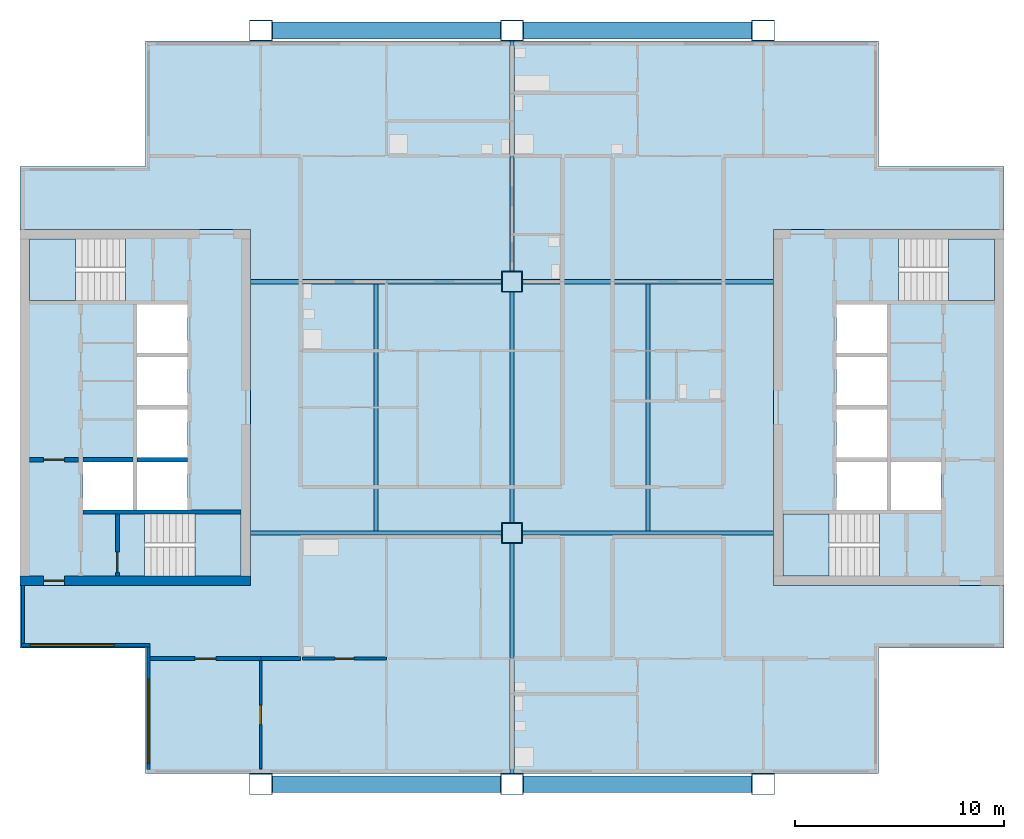
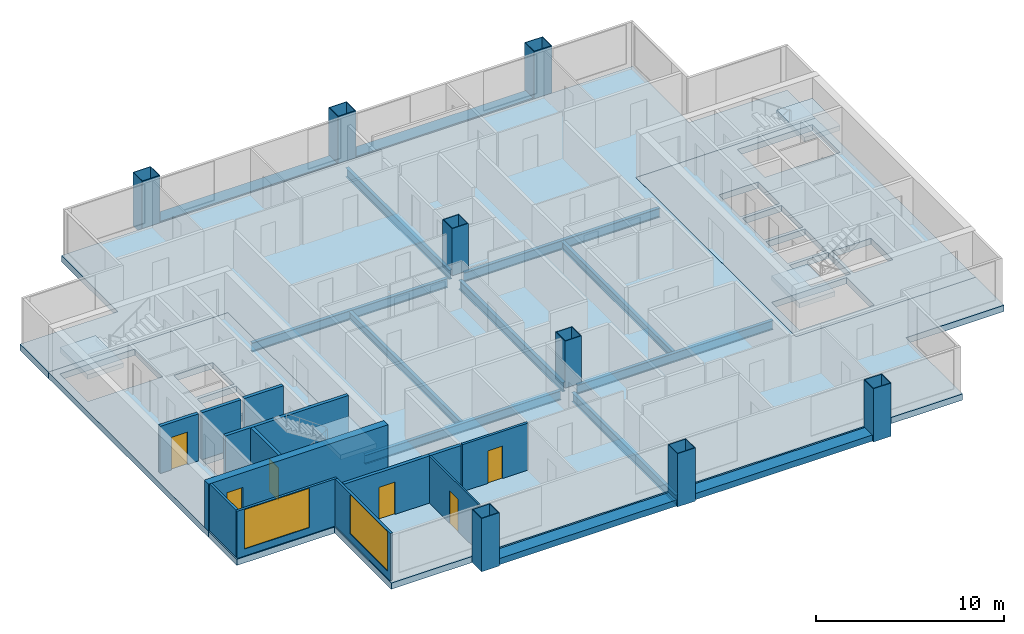
# One storey, part 1 of 9: 13 beams, 13 walls, 8 columns, 7 slabs, 6 doors, 2 windows, 8 openings, 4 elements without a shape of their own.
"""IFC4 building model written with IfcOpenShell, lengths in metres."""

from ifc_helpers import new_model, si_unit, direction, frame, frame_2d, origin, origin_2d, place, context, subcontext, project, spatial, polyline, rectangle, hollow_rectangle, i_section, outline, extrude, material, layer, layer_set, material_profile, profile_set, type_object, element, fill, aggregate, save


model = new_model("IFC4")

# Units and contexts
model_context = context("Model", 3, precision=1e-05, world=origin(), true_north=direction((0.0, 1.0)))
body_context = subcontext(model_context, "Body", "Model", "MODEL_VIEW")
ifc_project = project(units=[si_unit("LENGTHUNIT", "METRE"), si_unit("AREAUNIT", "SQUARE_METRE"), si_unit("VOLUMEUNIT", "CUBIC_METRE"), si_unit("PLANEANGLEUNIT", "RADIAN"), si_unit("MASSUNIT", "GRAM", prefix="KILO")], contexts=[model_context])

# Site, building, storey
site_placement = place(None, origin())
site = spatial("IfcSite", under=ifc_project, at=site_placement, CompositionType="ELEMENT")
building_placement = place(site_placement, origin())
building = spatial("IfcBuilding", under=site, at=building_placement, Name="Kitamizu Gate Tower and Museum", CompositionType="ELEMENT")
storey_placement = place(building_placement, frame((0.0, 0.0, 224.85009765625)))
storey = spatial("IfcBuildingStorey", under=building, at=storey_placement, Name="L60", CompositionType="ELEMENT", Elevation=224.85009765625)

# Columns
ifc_material_1 = material(Name="Steel SM490A bronze coated", Category="steel")
ifc_material_profile_1 = material_profile(ifc_material_1, hollow_rectangle(XDim=1.10009765625, YDim=1.0, WallThickness=0.0400390625, at=origin_2d()), Name="BOX 1100x1000x40")
ifc_profile_set_1 = profile_set([ifc_material_profile_1], Name="Steel SM490A bronze coated")
column_type_1 = type_object("IfcColumnType", Name="Exoskeleton column XC8 BOX 1100x1000x40", PredefinedType="COLUMN", material=ifc_profile_set_1)
for number, where, z_axis, x_axis, name in (
    (1, (24.0, 12.0, -0.400146484375), (0.0, 0.0, 1.0), (1.0, 0.0, 0.0), "Column XC8 3B L60"),
    (2, (24.0, 48.0, -0.400146484375), (0.0, 0.0, 1.0), (1.0, 0.0, 0.0), "Column XC8 3E L60"),
    (3, (36.0, 12.0, -0.400146484375), (0.0, 0.0, 1.0), (1.0, 0.0, 0.0), "Column XC8 4B L60"),
    (4, (36.0, 48.0, -0.400146484375), (0.0, 0.0, 1.0), (1.0, 0.0, 0.0), "Column XC8 4E L60"),
    (5, (48.0, 12.0, -0.400146484375), (0.0, 0.0, 1.0), (1.0, 0.0, 0.0), "Column XC8 5B L60"),
    (6, (48.0, 48.0, -0.400146484375), (0.0, 0.0, 1.0), (1.0, 0.0, 0.0), "Column XC8 5E L60"),
):
    element("IfcColumn", number, at=place(storey_placement, frame(where, z_axis=z_axis, x_axis=x_axis)), inside=storey, type_object=column_type_1, Name=name, PredefinedType="COLUMN", context=body_context, shape_type="SweptSolid", body=[
        extrude(hollow_rectangle(XDim=1.10009765625, YDim=1.0, WallThickness=0.0400390625, at=origin_2d()), origin(), (0.0, 0.0, 1.0), 3.449951171875),
    ])
ifc_material_2 = material(Name="Steel SM490A", Category="steel")
ifc_material_profile_2 = material_profile(ifc_material_2, hollow_rectangle(XDim=1.0, YDim=1.0, WallThickness=0.0400390625, at=origin_2d()), Name="BOX 1000x1000x40")
ifc_profile_set_2 = profile_set([ifc_material_profile_2], Name="Steel SM490A")
column_type_2 = type_object("IfcColumnType", Name="Interior column IC5 BOX 1000x1000x40", PredefinedType="COLUMN", material=ifc_profile_set_2)
for number, where, z_axis, x_axis, name in (
    (7, (36.0, 24.0, 0.0), (0.0, 0.0, 1.0), (1.0, 0.0, 0.0), "Column IC5 4C L60"),
    (8, (36.0, 36.0, 0.0), (0.0, 0.0, 1.0), (1.0, 0.0, 0.0), "Column IC5 4D L60"),
):
    element("IfcColumn", number, at=place(storey_placement, frame(where, z_axis=z_axis, x_axis=x_axis)), inside=storey, type_object=column_type_2, Name=name, PredefinedType="COLUMN", context=body_context, shape_type="SweptSolid", body=[
        extrude(hollow_rectangle(XDim=1.0, YDim=1.0, WallThickness=0.0400390625, at=origin_2d()), origin(), (0.0, 0.0, 1.0), 3.0498046875),
    ])

# Beams
ifc_material_3 = material(Name="Steel SM490A bronze coated", Category="steel")
ifc_material_profile_3 = material_profile(ifc_material_3, hollow_rectangle(XDim=0.800048828125, YDim=0.39990234375, WallThickness=0.0400390625, at=origin_2d()), Name="BOX 800x400x40")
ifc_profile_set_3 = profile_set([ifc_material_profile_3], Name="Steel SM490A bronze coated")
beam_type_1 = type_object("IfcBeamType", Name="Exoskeleton spandrel beam SB1 BOX 800x400x40", PredefinedType="SPANDREL", material=ifc_profile_set_3)
for number, where, z_axis, x_axis, name in (
    (9, (24.550048828125, 12.0, -0.2001953125), (1.0, 0.0, 0.0), (0.0, 1.0, 0.0), "Exoskeleton spandrel beam south 24 L60"),
    (10, (36.550048828125, 12.0, -0.2001953125), (1.0, 0.0, 0.0), (0.0, 1.0, 0.0), "Exoskeleton spandrel beam south 36 L60"),
    (11, (24.550048828125, 48.0, -0.2001953125), (1.0, 0.0, 0.0), (0.0, 1.0, 0.0), "Exoskeleton spandrel beam north 24 L60"),
    (12, (36.550048828125, 48.0, -0.2001953125), (1.0, 0.0, 0.0), (0.0, 1.0, 0.0), "Exoskeleton spandrel beam north 36 L60"),
):
    element("IfcBeam", number, at=place(storey_placement, frame(where, z_axis=z_axis, x_axis=x_axis)), inside=storey, type_object=beam_type_1, Name=name, PredefinedType="SPANDREL", context=body_context, shape_type="SweptSolid", body=[
        extrude(hollow_rectangle(XDim=0.800048828125, YDim=0.39990234375, WallThickness=0.0400390625, at=origin_2d()), origin(), (0.0, 0.0, 1.0), 10.89990234375),
    ])
ifc_material_4 = material(Name="Steel SM490A", Category="steel")
ifc_material_profile_4 = material_profile(ifc_material_4, i_section(OverallWidth=0.199951171875, OverallDepth=0.5, WebThickness=0.010009765625, FlangeThickness=0.01611328125, FilletRadius=0.02001953125, at=origin_2d()), Name="H-500x200x10x16")
ifc_profile_set_4 = profile_set([ifc_material_profile_4], Name="Steel SM490A")
beam_type_2 = type_object("IfcBeamType", Name="Floor beam FB1 H 500x200x10x16", PredefinedType="BEAM", material=ifc_profile_set_4)
for number, where, z_axis, x_axis, name in (
    (13, (29.5, 24.10009765625, -0.650146484375), (0.0, 1.0, 0.0), (-1.0, 0.0, 0.0), "Floor beam FB1 L60-1"),
    (14, (42.5, 24.10009765625, -0.650146484375), (0.0, 1.0, 0.0), (-1.0, 0.0, 0.0), "Floor beam FB1 L60-2"),
):
    element("IfcBeam", number, at=place(storey_placement, frame(where, z_axis=z_axis, x_axis=x_axis)), inside=storey, type_object=beam_type_2, Name=name, PredefinedType="BEAM", context=body_context, shape_type="SweptSolid", body=[
        extrude(i_section(OverallWidth=0.199951171875, OverallDepth=0.5, WebThickness=0.010009765625, FlangeThickness=0.01611328125, FilletRadius=0.02001953125, at=origin_2d()), origin(), (0.0, 0.0, 1.0), 11.7998046875),
    ])
ifc_material_5 = material(Name="Steel SM490A", Category="steel")
ifc_material_profile_5 = material_profile(ifc_material_5, i_section(OverallWidth=0.199951171875, OverallDepth=0.60009765625, WebThickness=0.010986328125, FlangeThickness=0.01708984375, FilletRadius=0.02197265625, at=origin_2d()), Name="H-600x200x11x17")
ifc_profile_set_5 = profile_set([ifc_material_profile_5], Name="Steel SM490A")
beam_type_3 = type_object("IfcBeamType", Name="Floor girder FG1 H 600x200x11x17", PredefinedType="BEAM", material=ifc_profile_set_5)
for number, where, z_axis, x_axis, name in (
    (15, (36.0, 12.5, -0.7001953125), (0.0, 1.0, 0.0), (-1.0, 0.0, 0.0), "Floor girder FG1 x36 L60"),
    (16, (36.0, 24.5, -0.7001953125), (0.0, 1.0, 0.0), (-1.0, 0.0, 0.0), "Floor girder FG1 x36 L60"),
    (17, (36.0, 36.5, -0.7001953125), (0.0, 1.0, 0.0), (-1.0, 0.0, 0.0), "Floor girder FG1 x36 L60"),
):
    element("IfcBeam", number, at=place(storey_placement, frame(where, z_axis=z_axis, x_axis=x_axis)), inside=storey, type_object=beam_type_3, Name=name, PredefinedType="BEAM", context=body_context, shape_type="SweptSolid", body=[
        extrude(i_section(OverallWidth=0.199951171875, OverallDepth=0.60009765625, WebThickness=0.010986328125, FlangeThickness=0.01708984375, FilletRadius=0.02197265625, at=origin_2d()), origin(), (0.0, 0.0, 1.0), 11.0),
    ])
for number, where, z_axis, x_axis, name in (
    (18, (23.5, 24.0, -0.7001953125), (1.0, 0.0, 0.0), (0.0, 1.0, 0.0), "Floor girder FG1 y24 L60"),
    (19, (36.5, 24.0, -0.7001953125), (1.0, 0.0, 0.0), (0.0, 1.0, 0.0), "Floor girder FG1 y24 L60"),
    (20, (23.5, 36.0, -0.7001953125), (1.0, 0.0, 0.0), (0.0, 1.0, 0.0), "Floor girder FG1 y36 L60"),
    (21, (36.5, 36.0, -0.7001953125), (1.0, 0.0, 0.0), (0.0, 1.0, 0.0), "Floor girder FG1 y36 L60"),
):
    element("IfcBeam", number, at=place(storey_placement, frame(where, z_axis=z_axis, x_axis=x_axis)), inside=storey, type_object=beam_type_3, Name=name, PredefinedType="BEAM", context=body_context, shape_type="SweptSolid", body=[
        extrude(i_section(OverallWidth=0.199951171875, OverallDepth=0.60009765625, WebThickness=0.010986328125, FlangeThickness=0.01708984375, FilletRadius=0.02197265625, at=origin_2d()), origin(), (0.0, 0.0, 1.0), 12.0),
    ])

# Slabs
ifc_material_6 = material(Name="Concrete Fc36", Category="concrete")
ifc_layer_1 = layer(ifc_material_6, 0.39990234375)
ifc_layer_set_1 = layer_set([ifc_layer_1], Name="Concrete Fc36")
slab_type_1 = type_object("IfcSlabType", Name="Core floor slab 400", PredefinedType="FLOOR", material=ifc_layer_set_1)
slab_1_placement = place(storey_placement, frame((0.0, 0.0, -0.400146484375)))
element("IfcSlab", 22, at=slab_1_placement, inside=storey, type_object=slab_type_1, Name="Core floor slab W", PredefinedType="FLOOR", context=body_context, shape_type="SweptSolid", body=[
    extrude(outline(polyline([(12.5, 21.5), (23.5, 21.5), (23.5, 38.5), (12.5, 38.5), (12.5, 21.5)]), holes=[polyline([(15.5, 25.10009765625), (17.89990234375, 25.10009765625), (17.89990234375, 27.39990234375), (15.5, 27.39990234375), (15.5, 25.10009765625)]), polyline([(18.10009765625, 25.10009765625), (20.5, 25.10009765625), (20.5, 27.39990234375), (18.10009765625, 27.39990234375), (18.10009765625, 25.10009765625)]), polyline([(18.10009765625, 27.60009765625), (20.5, 27.60009765625), (20.5, 29.89990234375), (18.10009765625, 29.89990234375), (18.10009765625, 27.60009765625)]), polyline([(18.10009765625, 30.10009765625), (20.5, 30.10009765625), (20.5, 32.39990234375), (18.10009765625, 32.39990234375), (18.10009765625, 30.10009765625)]), polyline([(18.10009765625, 32.60009765625), (20.5, 32.60009765625), (20.5, 34.89990234375), (18.10009765625, 34.89990234375), (18.10009765625, 32.60009765625)]), polyline([(18.45068359375, 21.949951171875), (23.050048828125, 21.949951171875), (23.050048828125, 24.89990234375), (18.45068359375, 24.89990234375), (18.45068359375, 21.949951171875)]), polyline([(12.949951171875, 35.10009765625), (17.54931640625, 35.10009765625), (17.54931640625, 38.050048828125), (12.949951171875, 38.050048828125), (12.949951171875, 35.10009765625)])]), origin(), (0.0, 0.0, 1.0), 0.400146484375),
])
slab_2_placement = place(storey_placement, frame((0.0, 0.0, -0.400146484375)))
element("IfcSlab", 23, at=slab_2_placement, inside=storey, type_object=slab_type_1, Name="Core floor slab E", PredefinedType="FLOOR", context=body_context, shape_type="SweptSolid", body=[
    extrude(outline(polyline([(48.5, 21.5), (59.5, 21.5), (59.5, 38.5), (48.5, 38.5), (48.5, 21.5)]), holes=[polyline([(54.10009765625, 25.10009765625), (56.5, 25.10009765625), (56.5, 27.39990234375), (54.10009765625, 27.39990234375), (54.10009765625, 25.10009765625)]), polyline([(51.5, 25.10009765625), (53.89990234375, 25.10009765625), (53.89990234375, 27.39990234375), (51.5, 27.39990234375), (51.5, 25.10009765625)]), polyline([(51.5, 27.60009765625), (53.89990234375, 27.60009765625), (53.89990234375, 29.89990234375), (51.5, 29.89990234375), (51.5, 27.60009765625)]), polyline([(51.5, 30.10009765625), (53.89990234375, 30.10009765625), (53.89990234375, 32.39990234375), (51.5, 32.39990234375), (51.5, 30.10009765625)]), polyline([(51.5, 32.60009765625), (53.89990234375, 32.60009765625), (53.89990234375, 34.89990234375), (51.5, 34.89990234375), (51.5, 32.60009765625)]), polyline([(48.949951171875, 21.949951171875), (53.54931640625, 21.949951171875), (53.54931640625, 24.89990234375), (48.949951171875, 24.89990234375), (48.949951171875, 21.949951171875)]), polyline([(54.45068359375, 35.10009765625), (59.050048828125, 35.10009765625), (59.050048828125, 38.050048828125), (54.45068359375, 38.050048828125), (54.45068359375, 35.10009765625)])]), origin(), (0.0, 0.0, 1.0), 0.400146484375),
])
ifc_material_7 = material(Name="Concrete Fc36", Category="concrete")
ifc_layer_2 = layer(ifc_material_7, 0.39990234375)
ifc_layer_set_2 = layer_set([ifc_layer_2], Name="Concrete Fc36")
slab_type_2 = type_object("IfcSlabType", Name="Post tensioned flat slab 400", PredefinedType="FLOOR", material=ifc_layer_set_2)
slab_3_placement = place(storey_placement, frame((0.0, 0.0, -0.400146484375)))
element("IfcSlab", 24, at=slab_3_placement, inside=storey, type_object=slab_type_2, Name="Floor slab L60-1", PredefinedType="FLOOR", context=body_context, shape_type="SweptSolid", body=[
    extrude(outline(polyline([(12.5, 18.5), (12.5, 21.5), (23.5, 21.5), (23.5, 38.5), (12.5, 38.5), (12.5, 41.5), (18.5, 41.5), (18.5, 47.5), (53.5, 47.5), (53.5, 41.5), (59.5, 41.5), (59.5, 38.5), (48.5, 38.5), (48.5, 21.5), (59.5, 21.5), (59.5, 18.5), (53.5, 18.5), (53.5, 12.5), (18.5, 12.5), (18.5, 18.5), (12.5, 18.5)])), origin(), (0.0, 0.0, 1.0), 0.400146484375),
])

# Stair, slab
ifc_material_8 = material(Name="Concrete Fc42", Category="concrete")
stair_type = type_object("IfcStairType", Name="Exit stair 1375 wide 192 rise 300 going", PredefinedType="HALF_TURN_STAIR", material=ifc_material_8)
stair_1_placement = place(storey_placement, origin())
stair_1 = element("IfcStair", 25, at=stair_1_placement, inside=storey, type_object=stair_type, Name="Exit stair ST1", PredefinedType="HALF_TURN_STAIR")
ifc_material_9 = material(Name="Concrete Fc42", Category="concrete")
ifc_layer_3 = layer(ifc_material_9, 0.300048828125)
ifc_layer_set_3 = layer_set([ifc_layer_3], Name="Concrete Fc42")
slab_type_3 = type_object("IfcSlabType", Name="Stair landing 300", PredefinedType="LANDING", material=ifc_layer_set_3)
slab_4_placement = place(storey_placement, frame((0.0, 0.0, 1.4248046875)))
slab_4 = element("IfcSlab", 26, at=slab_4_placement, type_object=slab_type_3, Name="ST1 landing 1", PredefinedType="LANDING", context=body_context, shape_type="SweptSolid", body=[
    extrude(outline(polyline([(20.85009765625, 21.949951171875), (23.050048828125, 21.949951171875), (23.050048828125, 24.89990234375), (20.85009765625, 24.89990234375), (20.85009765625, 21.949951171875)])), origin(), (0.0, 0.0, 1.0), 0.300048828125),
])
aggregate(stair_1, [slab_4])

stair_2_placement = place(storey_placement, origin())
stair_2 = element("IfcStair", 27, at=stair_2_placement, inside=storey, type_object=stair_type, Name="Exit stair ST2", PredefinedType="HALF_TURN_STAIR")
slab_5_placement = place(storey_placement, frame((0.0, 0.0, 1.4248046875)))
slab_5 = element("IfcSlab", 28, at=slab_5_placement, type_object=slab_type_3, Name="ST2 landing 1", PredefinedType="LANDING", context=body_context, shape_type="SweptSolid", body=[
    extrude(outline(polyline([(12.949951171875, 35.10009765625), (15.14990234375, 35.10009765625), (15.14990234375, 38.050048828125), (12.949951171875, 38.050048828125), (12.949951171875, 35.10009765625)])), origin(), (0.0, 0.0, 1.0), 0.300048828125),
])
aggregate(stair_2, [slab_5])

stair_3_placement = place(storey_placement, origin())
stair_3 = element("IfcStair", 29, at=stair_3_placement, inside=storey, type_object=stair_type, Name="Exit stair ST3", PredefinedType="HALF_TURN_STAIR")
slab_6_placement = place(storey_placement, frame((0.0, 0.0, 1.4248046875)))
slab_6 = element("IfcSlab", 30, at=slab_6_placement, type_object=slab_type_3, Name="ST3 landing 1", PredefinedType="LANDING", context=body_context, shape_type="SweptSolid", body=[
    extrude(outline(polyline([(48.949951171875, 21.949951171875), (51.14990234375, 21.949951171875), (51.14990234375, 24.89990234375), (48.949951171875, 24.89990234375), (48.949951171875, 21.949951171875)])), origin(), (0.0, 0.0, 1.0), 0.300048828125),
])
aggregate(stair_3, [slab_6])

stair_4_placement = place(storey_placement, origin())
stair_4 = element("IfcStair", 31, at=stair_4_placement, inside=storey, type_object=stair_type, Name="Exit stair ST4", PredefinedType="HALF_TURN_STAIR")
slab_7_placement = place(storey_placement, frame((0.0, 0.0, 1.4248046875)))
slab_7 = element("IfcSlab", 32, at=slab_7_placement, type_object=slab_type_3, Name="ST4 landing 1", PredefinedType="LANDING", context=body_context, shape_type="SweptSolid", body=[
    extrude(outline(polyline([(56.85009765625, 35.10009765625), (59.050048828125, 35.10009765625), (59.050048828125, 38.050048828125), (56.85009765625, 38.050048828125), (56.85009765625, 35.10009765625)])), origin(), (0.0, 0.0, 1.0), 0.300048828125),
])
aggregate(stair_4, [slab_7])

# Wall, opening, door
ifc_material_10 = material(Name="Concrete Fc42", Category="concrete")
ifc_layer_4 = layer(ifc_material_10, 0.449951171875)
ifc_layer_set_4 = layer_set([ifc_layer_4], Name="Concrete Fc42")
wall_type_1 = type_object("IfcWallType", Name="Core wall 450", PredefinedType="SHEAR", material=ifc_layer_set_4)
wall_1_placement = place(storey_placement, frame((12.5, 21.72509765625, 0.0), z_axis=(0.0, 0.0, 1.0), x_axis=(1.0, 0.0, 0.0)))
wall_1 = element("IfcWall", 33, at=wall_1_placement, inside=storey, type_object=wall_type_1, Name="Core wall WS", PredefinedType="SHEAR", context=body_context, shape_type="SweptSolid", body=[
    extrude(rectangle(XDim=11.0, YDim=0.449951171875, at=frame_2d((5.5, 0.0))), origin(), (0.0, 0.0, 1.0), 3.0498046875),
])
opening_1_placement = place(wall_1_placement, frame((1.125, 0.0, 0.0)))
opening_1 = element("IfcOpeningElement", 34, at=opening_1_placement, cuts=wall_1, Name="Opening L60-039", PredefinedType="OPENING", context=body_context, shape_type="SweptSolid", body=[
    extrude(rectangle(XDim=1.0, YDim=2.10009765625, at=frame_2d((0.5, 1.050048828125))), frame((0.0, 0.23486328125, 0.0), z_axis=(0.0, -1.0, 0.0), x_axis=(1.0, 0.0, 0.0)), (0.0, 0.0, 1.0), 0.469970703125),
])
ifc_material_11 = material(Name="Hollow metal door set")
door_type_1 = type_object("IfcDoorType", Name="Fire door 1000", OperationType="NOTDEFINED", PredefinedType="DOOR", material=ifc_material_11)
door_1_placement = place(opening_1_placement, origin())
door_1 = element("IfcDoor", 35, at=door_1_placement, inside=storey, type_object=door_type_1, Name="Fire-fighting lobby door L60-039", OperationType="SINGLE_SWING_LEFT", OverallHeight=2.10009765625, OverallWidth=1.0, PredefinedType="DOOR", context=body_context, shape_type="SweptSolid", body=[
    extrude(rectangle(XDim=1.0, YDim=2.10009765625, at=frame_2d((0.5, 1.050048828125))), frame((0.0, 0.02490234375, 0.0), z_axis=(0.0, -1.0, 0.0), x_axis=(1.0, 0.0, 0.0)), (0.0, 0.0, 1.0), 0.050048828125),
])
fill(opening_1, door_1)

ifc_material_12 = material(Name="Gypsum board on galvanised stud")
ifc_layer_5 = layer(ifc_material_12, 0.10009765625)
ifc_layer_set_5 = layer_set([ifc_layer_5], Name="Gypsum board on galvanised stud")
wall_type_2 = type_object("IfcWallType", Name="Partition 100 NOT RATED", PredefinedType="PARTITIONING", material=ifc_layer_set_5)
wall_2_placement = place(storey_placement, frame((24.0, 12.719970703125, 0.0), z_axis=(0.0, 0.0, 1.0), x_axis=(0.0, 1.0, 0.0)))
wall_2 = element("IfcWall", 36, at=wall_2_placement, inside=storey, type_object=wall_type_2, Name="Partition L60-001", PredefinedType="PARTITIONING", context=body_context, shape_type="SweptSolid", body=[
    extrude(rectangle(XDim=5.179931640625, YDim=0.10009765625, at=frame_2d((2.58984375, 0.0))), origin(), (0.0, 0.0, 1.0), 3.0498046875),
])
opening_2_placement = place(wall_2_placement, frame((2.139892578125, 0.0, 0.0)))
opening_2 = element("IfcOpeningElement", 37, at=opening_2_placement, cuts=wall_2, Name="Opening L60-002", PredefinedType="OPENING", context=body_context, shape_type="SweptSolid", body=[
    extrude(rectangle(XDim=0.89990234375, YDim=2.10009765625, at=frame_2d((0.449951171875, 1.050048828125))), frame((0.0, 0.06005859375, 0.0), z_axis=(0.0, -1.0, 0.0), x_axis=(1.0, 0.0, 0.0)), (0.0, 0.0, 1.0), 0.1201171875),
])
ifc_material_13 = material(Name="Timber door set", Category="wood")
door_type_2 = type_object("IfcDoorType", Name="Room door 900", OperationType="NOTDEFINED", PredefinedType="DOOR", material=ifc_material_13)
door_2_placement = place(opening_2_placement, frame((0.89990234375, 0.0, 0.0), x_axis=(-1.0, 0.0, 0.0)))
door_2 = element("IfcDoor", 38, at=door_2_placement, inside=storey, type_object=door_type_2, Name="Door L60-002", OperationType="SINGLE_SWING_RIGHT", OverallHeight=2.10009765625, OverallWidth=0.89990234375, PredefinedType="DOOR", context=body_context, shape_type="SweptSolid", body=[
    extrude(rectangle(XDim=0.89990234375, YDim=2.10009765625, at=frame_2d((0.449951171875, 1.050048828125))), frame((0.0, 0.02490234375, 0.0), z_axis=(0.0, -1.0, 0.0), x_axis=(1.0, 0.0, 0.0)), (0.0, 0.0, 1.0), 0.050048828125),
])
fill(opening_2, door_2)

ifc_material_14 = material(Name="Gypsum board on galvanised stud")
ifc_layer_6 = layer(ifc_material_14, 0.14990234375)
ifc_layer_set_6 = layer_set([ifc_layer_6], Name="Gypsum board on galvanised stud")
wall_type_3 = type_object("IfcWallType", Name="Partition 150", PredefinedType="PARTITIONING", material=ifc_layer_set_6)
wall_3_placement = place(storey_placement, frame((30.0, 18.0, 0.0), z_axis=(0.0, 0.0, 1.0), x_axis=(-1.0, 0.0, 0.0)))
wall_3 = element("IfcWall", 39, at=wall_3_placement, inside=storey, type_object=wall_type_3, Name="Partition L60-004", PredefinedType="PARTITIONING", context=body_context, shape_type="SweptSolid", body=[
    extrude(rectangle(XDim=4.0, YDim=0.14990234375, at=frame_2d((2.0, 0.0))), origin(), (0.0, 0.0, 1.0), 3.0498046875),
])
opening_3_placement = place(wall_3_placement, frame((1.550048828125, 0.0, 0.0)))
opening_3 = element("IfcOpeningElement", 40, at=opening_3_placement, cuts=wall_3, Name="Opening L60-004", PredefinedType="OPENING", context=body_context, shape_type="SweptSolid", body=[
    extrude(rectangle(XDim=0.89990234375, YDim=2.10009765625, at=frame_2d((0.449951171875, 1.050048828125))), frame((0.0, 0.0849609375, 0.0), z_axis=(0.0, -1.0, 0.0), x_axis=(1.0, 0.0, 0.0)), (0.0, 0.0, 1.0), 0.169921875),
])
ifc_material_15 = material(Name="Timber door set", Category="wood")
door_type_3 = type_object("IfcDoorType", Name="Bathroom door 900", OperationType="NOTDEFINED", PredefinedType="DOOR", material=ifc_material_15)
door_3_placement = place(opening_3_placement, frame((0.89990234375, 0.0, 0.0), x_axis=(-1.0, 0.0, 0.0)))
door_3 = element("IfcDoor", 41, at=door_3_placement, inside=storey, type_object=door_type_3, Name="Bathroom door L60-004", OperationType="SINGLE_SWING_RIGHT", OverallHeight=2.10009765625, OverallWidth=0.89990234375, PredefinedType="DOOR", context=body_context, shape_type="SweptSolid", body=[
    extrude(rectangle(XDim=0.89990234375, YDim=2.10009765625, at=frame_2d((0.449951171875, 1.050048828125))), frame((0.0, 0.02490234375, 0.0), z_axis=(0.0, -1.0, 0.0), x_axis=(1.0, 0.0, 0.0)), (0.0, 0.0, 1.0), 0.050048828125),
])
fill(opening_3, door_3)

ifc_material_16 = material(Name="Gypsum board on galvanised stud")
ifc_layer_7 = layer(ifc_material_16, 0.199951171875)
ifc_layer_set_7 = layer_set([ifc_layer_7], Name="Gypsum board on galvanised stud")
wall_type_4 = type_object("IfcWallType", Name="Partition 200", PredefinedType="PARTITIONING", material=ifc_layer_set_7)
wall_4_placement = place(storey_placement, frame((24.0, 18.0, 0.0), z_axis=(0.0, 0.0, 1.0), x_axis=(-1.0, 0.0, 0.0)))
wall_4 = element("IfcWall", 42, at=wall_4_placement, inside=storey, type_object=wall_type_4, Name="Partition L60-002", PredefinedType="PARTITIONING", context=body_context, shape_type="SweptSolid", body=[
    extrude(rectangle(XDim=5.280029296875, YDim=0.199951171875, at=frame_2d((2.64013671875, 0.0))), origin(), (0.0, 0.0, 1.0), 3.0498046875),
])
opening_4_placement = place(wall_4_placement, frame((2.139892578125, 0.0, 0.0)))
opening_4 = element("IfcOpeningElement", 43, at=opening_4_placement, cuts=wall_4, Name="Opening L60-001", PredefinedType="OPENING", context=body_context, shape_type="SweptSolid", body=[
    extrude(rectangle(XDim=1.0, YDim=2.10009765625, at=frame_2d((0.5, 1.050048828125))), frame((0.0, 0.10986328125, 0.0), z_axis=(0.0, -1.0, 0.0), x_axis=(1.0, 0.0, 0.0)), (0.0, 0.0, 1.0), 0.219970703125),
])
ifc_material_17 = material(Name="Timber door set", Category="wood")
door_type_4 = type_object("IfcDoorType", Name="Flat entrance door 1000", OperationType="NOTDEFINED", PredefinedType="DOOR", material=ifc_material_17)
door_4_placement = place(opening_4_placement, origin())
door_4 = element("IfcDoor", 44, at=door_4_placement, inside=storey, type_object=door_type_4, Name="Flat entrance door L60-001", OperationType="SINGLE_SWING_RIGHT", OverallHeight=2.10009765625, OverallWidth=1.0, PredefinedType="DOOR", context=body_context, shape_type="SweptSolid", body=[
    extrude(rectangle(XDim=1.0, YDim=2.10009765625, at=frame_2d((0.5, 1.050048828125))), frame((0.0, 0.02490234375, 0.0), z_axis=(0.0, -1.0, 0.0), x_axis=(1.0, 0.0, 0.0)), (0.0, 0.0, 1.0), 0.050048828125),
])
fill(opening_4, door_4)

# Walls
wall_5_placement = place(storey_placement, frame((25.89990234375, 18.0, 0.0), z_axis=(0.0, 0.0, 1.0), x_axis=(-1.0, 0.0, 0.0)))
element("IfcWall", 45, at=wall_5_placement, inside=storey, type_object=wall_type_4, Name="Partition L60-005", PredefinedType="PARTITIONING", context=body_context, shape_type="SweptSolid", body=[
    extrude(rectangle(XDim=1.89990234375, YDim=0.199951171875, at=frame_2d((0.949951171875, 0.0))), origin(), (0.0, 0.0, 1.0), 3.0498046875),
])
ifc_material_18 = material(Name="Concrete Fc42", Category="concrete")
ifc_layer_8 = layer(ifc_material_18, 0.199951171875)
ifc_layer_set_8 = layer_set([ifc_layer_8], Name="Concrete Fc42")
wall_type_5 = type_object("IfcWallType", Name="Shaft wall 200", PredefinedType="SOLIDWALL", material=ifc_layer_set_8)
wall_6_placement = place(storey_placement, frame((15.5, 25.0, 0.0), z_axis=(0.0, 0.0, 1.0), x_axis=(1.0, 0.0, 0.0)))
element("IfcWall", 46, at=wall_6_placement, inside=storey, type_object=wall_type_5, Name="Shaft wall WSB", PredefinedType="SOLIDWALL", context=body_context, shape_type="SweptSolid", body=[
    extrude(rectangle(XDim=7.550048828125, YDim=0.199951171875, at=frame_2d((3.77490234375, 0.0))), origin(), (0.0, 0.0, 1.0), 3.0498046875),
])

# Wall, opening, door
wall_7_placement = place(storey_placement, frame((12.949951171875, 27.5, 0.0), z_axis=(0.0, 0.0, 1.0), x_axis=(1.0, 0.0, 0.0)))
wall_7 = element("IfcWall", 47, at=wall_7_placement, inside=storey, type_object=wall_type_5, Name="Shaft wall WFFN", PredefinedType="SOLIDWALL", context=body_context, shape_type="SweptSolid", body=[
    extrude(rectangle(XDim=2.35009765625, YDim=0.199951171875, at=frame_2d((1.175048828125, 0.0))), origin(), (0.0, 0.0, 1.0), 3.0498046875),
])
opening_5_placement = place(wall_7_placement, frame((0.675048828125, 0.0, 0.0)))
opening_5 = element("IfcOpeningElement", 48, at=opening_5_placement, cuts=wall_7, Name="Opening L60-038", PredefinedType="OPENING", context=body_context, shape_type="SweptSolid", body=[
    extrude(rectangle(XDim=1.0, YDim=2.10009765625, at=frame_2d((0.5, 1.050048828125))), frame((0.0, 0.10986328125, 0.0), z_axis=(0.0, -1.0, 0.0), x_axis=(1.0, 0.0, 0.0)), (0.0, 0.0, 1.0), 0.219970703125),
])
door_5_placement = place(opening_5_placement, frame((1.0, 0.0, 0.0), x_axis=(-1.0, 0.0, 0.0)))
door_5 = element("IfcDoor", 49, at=door_5_placement, inside=storey, type_object=door_type_1, Name="Fire-fighting lobby door L60-038", OperationType="SINGLE_SWING_LEFT", OverallHeight=2.10009765625, OverallWidth=1.0, PredefinedType="DOOR", context=body_context, shape_type="SweptSolid", body=[
    extrude(rectangle(XDim=1.0, YDim=2.10009765625, at=frame_2d((0.5, 1.050048828125))), frame((0.0, 0.02490234375, 0.0), z_axis=(0.0, -1.0, 0.0), x_axis=(1.0, 0.0, 0.0)), (0.0, 0.0, 1.0), 0.050048828125),
])
fill(opening_5, door_5)

wall_8_placement = place(storey_placement, frame((17.14990234375, 21.949951171875, 0.0), z_axis=(0.0, 0.0, 1.0), x_axis=(0.0, 1.0, 0.0)))
wall_8 = element("IfcWall", 50, at=wall_8_placement, inside=storey, type_object=wall_type_5, Name="Shaft wall WSZ", PredefinedType="SOLIDWALL", context=body_context, shape_type="SweptSolid", body=[
    extrude(rectangle(XDim=2.949951171875, YDim=0.199951171875, at=frame_2d((1.47509765625, 0.0))), origin(), (0.0, 0.0, 1.0), 3.0498046875),
])
opening_6_placement = place(wall_8_placement, frame((0.14990234375, 0.0, 0.0)))
opening_6 = element("IfcOpeningElement", 51, at=opening_6_placement, cuts=wall_8, Name="Opening L60-034", PredefinedType="OPENING", context=body_context, shape_type="SweptSolid", body=[
    extrude(rectangle(XDim=1.0, YDim=2.10009765625, at=frame_2d((0.5, 1.050048828125))), frame((0.0, 0.10986328125, 0.0), z_axis=(0.0, -1.0, 0.0), x_axis=(1.0, 0.0, 0.0)), (0.0, 0.0, 1.0), 0.219970703125),
])
door_6_placement = place(opening_6_placement, frame((1.0, 0.0, 0.0), x_axis=(-1.0, 0.0, 0.0)))
door_6 = element("IfcDoor", 52, at=door_6_placement, inside=storey, type_object=door_type_1, Name="Stair door L60-034", OperationType="SINGLE_SWING_LEFT", OverallHeight=2.10009765625, OverallWidth=1.0, PredefinedType="DOOR", context=body_context, shape_type="SweptSolid", body=[
    extrude(rectangle(XDim=1.0, YDim=2.10009765625, at=frame_2d((0.5, 1.050048828125))), frame((0.0, 0.02490234375, 0.0), z_axis=(0.0, -1.0, 0.0), x_axis=(1.0, 0.0, 0.0)), (0.0, 0.0, 1.0), 0.050048828125),
])
fill(opening_6, door_6)

# Walls
for number, where, z_axis, x_axis, name in (
    (53, (15.5, 27.5, 0.0), (0.0, 0.0, 1.0), (1.0, 0.0, 0.0), "Shaft wall WDVW0"),
    (54, (18.10009765625, 27.5, 0.0), (0.0, 0.0, 1.0), (1.0, 0.0, 0.0), "Shaft wall WDVE0"),
):
    element("IfcWall", number, at=place(storey_placement, frame(where, z_axis=z_axis, x_axis=x_axis)), inside=storey, type_object=wall_type_5, Name=name, PredefinedType="SOLIDWALL", context=body_context, shape_type="SweptSolid", body=[
        extrude(rectangle(XDim=2.39990234375, YDim=0.199951171875, at=frame_2d((1.199951171875, 0.0))), origin(), (0.0, 0.0, 1.0), 3.0498046875),
    ])
ifc_material_19 = material(Name="Bronze anodised aluminium frame with insulated spandrel and tinted glass", Category="aluminium")
ifc_layer_9 = layer(ifc_material_19, 0.14990234375)
ifc_layer_set_9 = layer_set([ifc_layer_9], Name="Bronze anodised aluminium frame with insulated spandrel and tinted glass")
wall_type_6 = type_object("IfcWallType", Name="WINDOW WALL 150 BRONZE FRAME EI 30", PredefinedType="ELEMENTEDWALL", material=ifc_layer_set_9)
wall_9_placement = place(storey_placement, frame((12.635009765625, 18.7099609375, 0.0), z_axis=(0.0, 0.0, 1.0), x_axis=(0.0, 1.0, 0.0)))
element("IfcWall", 55, at=wall_9_placement, inside=storey, type_object=wall_type_6, Name="Window wall west L60", PredefinedType="ELEMENTEDWALL", context=body_context, shape_type="SweptSolid", body=[
    extrude(rectangle(XDim=2.7900390625, YDim=0.14990234375, at=frame_2d((1.39501953125, 0.0))), origin(), (0.0, 0.0, 1.0), 3.0498046875),
])

# Wall, opening, window
wall_10_placement = place(storey_placement, frame((12.56005859375, 18.635009765625, 0.0), z_axis=(0.0, 0.0, 1.0), x_axis=(1.0, 0.0, 0.0)))
wall_10 = element("IfcWall", 56, at=wall_10_placement, inside=storey, type_object=wall_type_6, Name="Window wall south L60", PredefinedType="ELEMENTEDWALL", context=body_context, shape_type="SweptSolid", body=[
    extrude(rectangle(XDim=6.14990234375, YDim=0.14990234375, at=frame_2d((3.074951171875, 0.0))), origin(), (0.0, 0.0, 1.0), 3.0498046875),
])
opening_7_placement = place(wall_10_placement, frame((0.43994140625, 0.0, 0.449951171875)))
opening_7 = element("IfcOpeningElement", 57, at=opening_7_placement, cuts=wall_10, Name="Opening W16", PredefinedType="OPENING", context=body_context, shape_type="SweptSolid", body=[
    extrude(rectangle(XDim=4.0, YDim=2.550048828125, at=frame_2d((2.0, 1.27490234375))), frame((0.0, 0.0849609375, 0.0), z_axis=(0.0, -1.0, 0.0), x_axis=(1.0, 0.0, 0.0)), (0.0, 0.0, 1.0), 0.169921875),
])
ifc_material_20 = material(Name="Bronze anodised aluminium frame, tinted triple glazing", Category="aluminium")
window_type = type_object("IfcWindowType", Name="WINDOW 4000 x 2550 SILL 450", PartitioningType="SINGLE_PANEL", PredefinedType="WINDOW", material=ifc_material_20)
window_1_placement = place(opening_7_placement, origin())
window_1 = element("IfcWindow", 58, at=window_1_placement, inside=storey, type_object=window_type, Name="Window W16 L60", OverallHeight=2.550048828125, OverallWidth=4.0, PartitioningType="SINGLE_PANEL", PredefinedType="WINDOW", context=body_context, shape_type="SweptSolid", body=[
    extrude(rectangle(XDim=4.0, YDim=2.550048828125, at=frame_2d((2.0, 1.27490234375))), frame((0.0, 0.030029296875, 0.0), z_axis=(0.0, -1.0, 0.0), x_axis=(1.0, 0.0, 0.0)), (0.0, 0.0, 1.0), 0.06005859375),
])
fill(opening_7, window_1)

wall_11_placement = place(storey_placement, frame((18.635009765625, 12.7099609375, 0.0), z_axis=(0.0, 0.0, 1.0), x_axis=(0.0, 1.0, 0.0)))
wall_11 = element("IfcWall", 59, at=wall_11_placement, inside=storey, type_object=wall_type_6, Name="Window wall west L60", PredefinedType="ELEMENTEDWALL", context=body_context, shape_type="SweptSolid", body=[
    extrude(rectangle(XDim=5.85009765625, YDim=0.14990234375, at=frame_2d((2.925048828125, 0.0))), origin(), (0.0, 0.0, 1.0), 3.0498046875),
])
opening_8_placement = place(wall_11_placement, frame((0.2900390625, 0.0, 0.449951171875)))
opening_8 = element("IfcOpeningElement", 60, at=opening_8_placement, cuts=wall_11, Name="Opening W16", PredefinedType="OPENING", context=body_context, shape_type="SweptSolid", body=[
    extrude(rectangle(XDim=4.0, YDim=2.550048828125, at=frame_2d((2.0, 1.27490234375))), frame((0.0, 0.0849609375, 0.0), z_axis=(0.0, -1.0, 0.0), x_axis=(1.0, 0.0, 0.0)), (0.0, 0.0, 1.0), 0.169921875),
])
window_2_placement = place(opening_8_placement, origin())
window_2 = element("IfcWindow", 61, at=window_2_placement, inside=storey, type_object=window_type, Name="Window W16 L60", OverallHeight=2.550048828125, OverallWidth=4.0, PartitioningType="SINGLE_PANEL", PredefinedType="WINDOW", context=body_context, shape_type="SweptSolid", body=[
    extrude(rectangle(XDim=4.0, YDim=2.550048828125, at=frame_2d((2.0, 1.27490234375))), frame((0.0, 0.030029296875, 0.0), z_axis=(0.0, -1.0, 0.0), x_axis=(1.0, 0.0, 0.0)), (0.0, 0.0, 1.0), 0.06005859375),
])
fill(opening_8, window_2)

save(model, "model.ifc")
